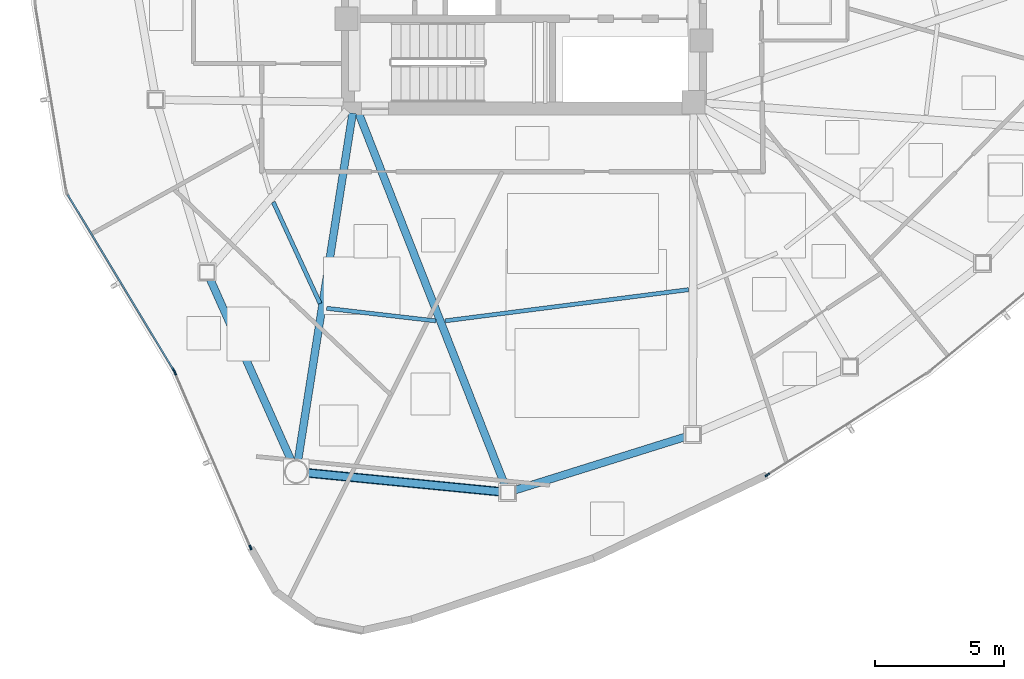
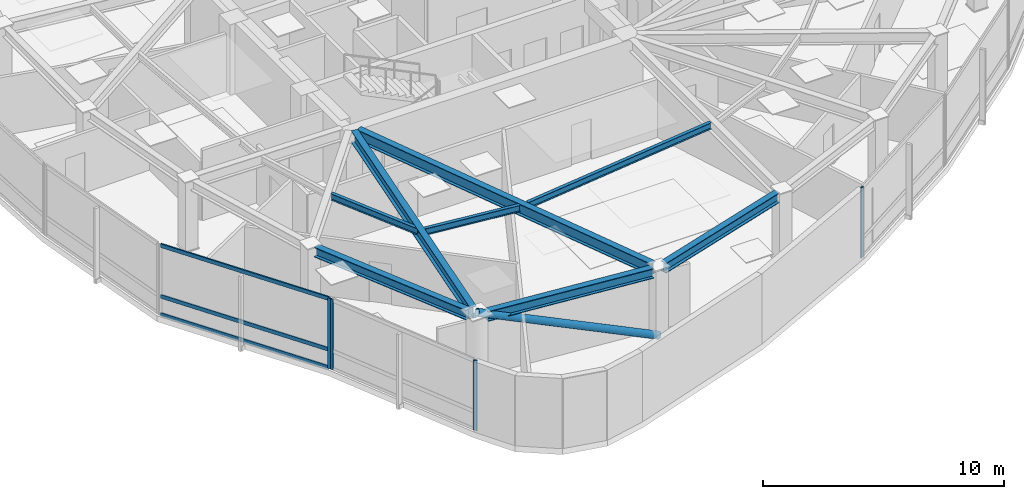
# One storey, part 2 of 17: 8 beams, 8 members, 3 elements without a shape of their own.
"""IFC4 building model written with IfcOpenShell, lengths in metres."""

from ifc_helpers import new_model, si_unit, direction, frame, origin, origin_2d, place, context, subcontext, project, spatial, hollow_rectangle, hollow_circle, i_section, extrude, source, transform, mapped, material, layer, layer_set, material_profile, profile_set, type_object, type_shapes, element, aggregate, save


model = new_model("IFC4")

# Units and contexts
model_context = context("Model", 3, precision=1e-05, world=origin(), true_north=direction((0.0, 1.0)))
body_context = subcontext(model_context, "Body", "Model", "MODEL_VIEW")
ifc_project = project(units=[si_unit("LENGTHUNIT", "METRE"), si_unit("AREAUNIT", "SQUARE_METRE"), si_unit("VOLUMEUNIT", "CUBIC_METRE"), si_unit("PLANEANGLEUNIT", "RADIAN"), si_unit("MASSUNIT", "GRAM", prefix="KILO")], contexts=[model_context])

# Site, building, storey
site_placement = place(None, origin())
site = spatial("IfcSite", under=ifc_project, at=site_placement, CompositionType="ELEMENT")
building_placement = place(site_placement, origin())
building = spatial("IfcBuilding", under=site, at=building_placement, Name="Tavelor Broadcast Tower", CompositionType="ELEMENT")
storey_placement = place(building_placement, frame((0.0, 0.0, 184.89990234375)))
storey = spatial("IfcBuildingStorey", under=building, at=storey_placement, Name="L44", CompositionType="ELEMENT", Elevation=184.89990234375)

# Beams
ifc_material_1 = material(Name="Steel S355", Category="steel")
ifc_material_profile_1 = material_profile(ifc_material_1, i_section(OverallWidth=0.159912109375, OverallDepth=0.330078125, WebThickness=0.007568359375, FlangeThickness=0.011474609375, at=origin_2d()), Name="IPE 330")
ifc_profile_set_1 = profile_set([ifc_material_profile_1], Name="Steel S355")
beam_type_1 = type_object("IfcBeamType", Name="Composite Floor Joist T4 IPE 330", PredefinedType="JOIST", material=ifc_profile_set_1)
beam_1_placement = place(storey_placement, frame((40.2470703125, 34.91259765625, 3.385009765625), z_axis=(0.418865688231, -0.908048200936, 0.0), x_axis=(0.908048200936, 0.418865688231, 0.0)))
element("IfcBeam", 1, at=beam_1_placement, inside=storey, type_object=beam_type_1, Name="L44 Secondary Composite Floor Joist 06", PredefinedType="JOIST", context=body_context, shape_type="SweptSolid", body=[
    extrude(i_section(OverallWidth=0.159912109375, OverallDepth=0.330078125, WebThickness=0.007568359375, FlangeThickness=0.011474609375, at=origin_2d()), origin(), (0.0, 0.0, 1.0), 4.343505859375),
])
beam_2_placement = place(storey_placement, frame((42.322021484375, 30.783447265625, 3.385009765625), z_axis=(0.99339343168, -0.114758397927, 0.0), x_axis=(0.114758397927, 0.99339343168, 0.0)))
element("IfcBeam", 2, at=beam_2_placement, inside=storey, type_object=beam_type_1, Name="L44 Secondary Composite Floor Joist 07", PredefinedType="JOIST", context=body_context, shape_type="SweptSolid", body=[
    extrude(i_section(OverallWidth=0.159912109375, OverallDepth=0.330078125, WebThickness=0.007568359375, FlangeThickness=0.011474609375, at=origin_2d()), origin(), (0.0, 0.0, 1.0), 4.2783203125),
])
beam_3_placement = place(storey_placement, frame((46.931396484375, 30.294921875, 3.385009765625), z_axis=(0.991879761862, 0.127179157129, 0.0), x_axis=(-0.127179157129, 0.991879761862, 0.0)))
element("IfcBeam", 3, at=beam_3_placement, inside=storey, type_object=beam_type_1, Name="L44 Secondary Composite Floor Joist 08", PredefinedType="JOIST", context=body_context, shape_type="SweptSolid", body=[
    extrude(i_section(OverallWidth=0.159912109375, OverallDepth=0.330078125, WebThickness=0.007568359375, FlangeThickness=0.011474609375, at=origin_2d()), origin(), (0.0, 0.0, 1.0), 9.54443359375),
])
ifc_material_profile_2 = material_profile(ifc_material_1, i_section(OverallWidth=0.300048828125, OverallDepth=0.5, WebThickness=0.014404296875, FlangeThickness=0.028076171875, at=origin_2d()), Name="HEB 500")
ifc_profile_set_2 = profile_set([ifc_material_profile_2], Name="Steel S355")
beam_type_2 = type_object("IfcBeamType", Name="Perimeter Spandrel Beam T4 HEB 500", PredefinedType="SPANDREL", material=ifc_profile_set_2)
beam_4_placement = place(storey_placement, frame((37.78564453125, 31.927490234375, 3.300048828125), z_axis=(0.407969002466, -0.912995779304, 0.0), x_axis=(0.912995779304, 0.407969002466, 0.0)))
element("IfcBeam", 4, at=beam_4_placement, inside=storey, type_object=beam_type_2, Name="L44 Framed-Tube Ring Spandrel 06", PredefinedType="SPANDREL", context=body_context, shape_type="SweptSolid", body=[
    extrude(i_section(OverallWidth=0.300048828125, OverallDepth=0.5, WebThickness=0.014404296875, FlangeThickness=0.028076171875, at=origin_2d()), origin(), (0.0, 0.0, 1.0), 7.7802734375),
])
beam_5_placement = place(storey_placement, frame((41.5751953125, 24.381103515625, 3.300048828125), z_axis=(0.995249339376, -0.097358884918, 0.0), x_axis=(0.097358884918, 0.995249339376, 0.0)))
element("IfcBeam", 5, at=beam_5_placement, inside=storey, type_object=beam_type_2, Name="L44 Framed-Tube Ring Spandrel 07", PredefinedType="SPANDREL", context=body_context, shape_type="SweptSolid", body=[
    extrude(i_section(OverallWidth=0.300048828125, OverallDepth=0.5, WebThickness=0.014404296875, FlangeThickness=0.028076171875, at=origin_2d()), origin(), (0.0, 0.0, 1.0), 7.54052734375),
])
beam_6_placement = place(storey_placement, frame((49.641357421875, 23.705078125, 3.300048828125), z_axis=(0.954273247332, 0.298935727918, 0.0), x_axis=(-0.298935727918, 0.954273247332, 0.0)))
element("IfcBeam", 6, at=beam_6_placement, inside=storey, type_object=beam_type_2, Name="L44 Framed-Tube Ring Spandrel 08", PredefinedType="SPANDREL", context=body_context, shape_type="SweptSolid", body=[
    extrude(i_section(OverallWidth=0.300048828125, OverallDepth=0.5, WebThickness=0.014404296875, FlangeThickness=0.028076171875, at=origin_2d()), origin(), (0.0, 0.0, 1.0), 6.963134765625),
])

# Member
ifc_material_profile_3 = material_profile(ifc_material_1, hollow_circle(Radius=0.177734375, WallThickness=0.01611328125, at=origin_2d()), Name="CHS 355.6x16")
ifc_profile_set_3 = profile_set([ifc_material_profile_3], Name="Steel S355")
member_type_1 = type_object("IfcMemberType", Name="Perimeter Tube Brace T4 CHS 355.6x16", PredefinedType="BRACE", material=ifc_profile_set_3)
member_1_placement = place(storey_placement, frame((49.366455078125, 23.618896484375, 0.0), z_axis=(-0.914496364203, 0.089466025126, 0.394578547577), x_axis=(-0.097366094377, -0.995248634094, 0.0)))
element("IfcMember", 7, at=member_1_placement, inside=storey, type_object=member_type_1, Name="L44 Corner Tube Diagonal Brace 2", PredefinedType="BRACE", context=body_context, shape_type="SweptSolid", body=[
    extrude(hollow_circle(Radius=0.177734375, WallThickness=0.01611328125, at=origin_2d()), origin(), (0.0, 0.0, 1.0), 8.9970703125),
])

# Beams
ifc_material_profile_4 = material_profile(ifc_material_1, i_section(OverallWidth=0.300048828125, OverallDepth=0.590087890625, WebThickness=0.012939453125, FlangeThickness=0.02490234375, at=origin_2d()), Name="HEA 600")
ifc_profile_set_4 = profile_set([ifc_material_profile_4], Name="Steel S355")
beam_type_3 = type_object("IfcBeamType", Name="Radial Floor Girder T4 HEA 600", PredefinedType="BEAM", material=ifc_profile_set_4)
beam_7_placement = place(storey_placement, frame((43.3330078125, 38.373291015625, 3.255126953125), z_axis=(-0.15539903111, -0.987851780952, 0.0), x_axis=(0.987851780952, -0.15539903111, 0.0)))
element("IfcBeam", 8, at=beam_7_placement, inside=storey, type_object=beam_type_3, Name="L44 Radial Primary Floor Girder 07", PredefinedType="BEAM", context=body_context, shape_type="SweptSolid", body=[
    extrude(i_section(OverallWidth=0.300048828125, OverallDepth=0.590087890625, WebThickness=0.012939453125, FlangeThickness=0.02490234375, at=origin_2d()), origin(), (0.0, 0.0, 1.0), 13.682373046875),
])
beam_8_placement = place(storey_placement, frame((43.55810546875, 38.39794921875, 3.255126953125), z_axis=(0.365784627572, -0.930699525213, 0.0), x_axis=(0.930699525213, 0.365784627572, 0.0)))
element("IfcBeam", 9, at=beam_8_placement, inside=storey, type_object=beam_type_3, Name="L44 Radial Primary Floor Girder 08", PredefinedType="BEAM", context=body_context, shape_type="SweptSolid", body=[
    extrude(i_section(OverallWidth=0.300048828125, OverallDepth=0.590087890625, WebThickness=0.012939453125, FlangeThickness=0.02490234375, at=origin_2d()), origin(), (0.0, 0.0, 1.0), 15.591552734375),
])

# Curtain wall, member
ifc_material_2 = material(Name="Architectural Anodized Aluminium", Category="aluminium")
ifc_layer = layer(ifc_material_2, 0.18994140625)
ifc_layer_set = layer_set([ifc_layer], Name="Architectural Anodized Aluminium")
curtain_wall_type = type_object("IfcCurtainWallType", Name="Tower Mid-Zone Acoustic Curtain Wall CW03", PredefinedType="NOTDEFINED", material=ifc_layer_set)
curtain_wall_1_placement = place(storey_placement, origin())
curtain_wall_1 = element("IfcCurtainWall", 10, at=curtain_wall_1_placement, inside=storey, type_object=curtain_wall_type, Name="L44 Curtain Wall CW03 Run 471", PredefinedType="NOTDEFINED")
ifc_material_profile_5 = material_profile(ifc_material_2, hollow_rectangle(XDim=0.068115234375, YDim=0.18994140625, WallThickness=0.02197265625, at=origin_2d()), Name="RHS 68x190x22")
ifc_profile_set_5 = profile_set([ifc_material_profile_5], Name="Architectural Anodized Aluminium")
member_type_2 = type_object("IfcMemberType", Name="CW03 Extruded Aluminium Mullion 68x190", PredefinedType="MULLION", material=ifc_profile_set_5)
shared_shape_1 = source(origin(), body_context, "Body", "SweptSolid", [
    extrude(hollow_rectangle(XDim=0.068115234375, YDim=0.18994140625, WallThickness=0.02197265625, at=origin_2d()), origin(), (0.0, 0.0, 1.0), 3.550048828125),
])
type_shapes(member_type_2, [shared_shape_1])
member_2_placement = place(storey_placement, frame((36.37841796875, 28.3662109375, 0.0), z_axis=(0.0, 0.0, 1.0), x_axis=(0.855952826044, 0.517053923287, 0.0)))
member_2 = element("IfcMember", 11, at=member_2_placement, type_object=member_type_2, Name="CW03 mullion 2", PredefinedType="MULLION", context=body_context, shape_type="MappedRepresentation", body=[
    mapped(shared_shape_1, transform((0.0, 0.0, 0.0), scale=1.0)),
])

# Curtain wall, members
curtain_wall_2_placement = place(storey_placement, origin())
curtain_wall_2 = element("IfcCurtainWall", 12, at=curtain_wall_2_placement, inside=storey, type_object=curtain_wall_type, Name="L44 Curtain Wall CW03 Run 472", PredefinedType="NOTDEFINED")
member_3_placement = place(storey_placement, frame((36.423095703125, 28.279296875, 0.0), z_axis=(0.0, 0.0, 1.0), x_axis=(0.917919202016, 0.396767360766, 0.0)))
member_3 = element("IfcMember", 13, at=member_3_placement, type_object=member_type_2, Name="CW03 mullion 1", PredefinedType="MULLION", context=body_context, shape_type="MappedRepresentation", body=[
    mapped(shared_shape_1, transform((0.0, 0.0, 0.0), scale=1.0)),
])
member_4_placement = place(storey_placement, frame((39.36181640625, 21.48095703125, 0.0), z_axis=(0.0, 0.0, 1.0), x_axis=(0.917919202016, 0.396767360766, 0.0)))
member_4 = element("IfcMember", 14, at=member_4_placement, type_object=member_type_2, Name="CW03 mullion 2", PredefinedType="MULLION", context=body_context, shape_type="MappedRepresentation", body=[
    mapped(shared_shape_1, transform((0.0, 0.0, 0.0), scale=1.0)),
])
aggregate(curtain_wall_2, [member_3, member_4])

# Curtain wall, member
curtain_wall_3_placement = place(storey_placement, origin())
curtain_wall_3 = element("IfcCurtainWall", 15, at=curtain_wall_3_placement, inside=storey, type_object=curtain_wall_type, Name="L44 Curtain Wall CW03 Run 473", PredefinedType="NOTDEFINED")
member_5_placement = place(storey_placement, frame((59.46435546875, 24.2998046875, 0.0), z_axis=(0.0, 0.0, 1.0), x_axis=(-0.537657235308, 0.843163505686, 0.0)))
member_5 = element("IfcMember", 16, at=member_5_placement, type_object=member_type_2, Name="CW03 mullion 1", PredefinedType="MULLION", context=body_context, shape_type="MappedRepresentation", body=[
    mapped(shared_shape_1, transform((0.0, 0.0, 0.0), scale=1.0)),
])
aggregate(curtain_wall_3, [member_5])

# Member
ifc_material_profile_6 = material_profile(ifc_material_2, hollow_rectangle(XDim=0.068115234375, YDim=0.18994140625, WallThickness=0.02197265625, at=origin_2d()), Name="RHS 68x190x22")
ifc_profile_set_6 = profile_set([ifc_material_profile_6], Name="Architectural Anodized Aluminium")
member_type_3 = type_object("IfcMemberType", Name="CW03 Extruded Aluminium Transom 68x190", PredefinedType="USERDEFINED", material=ifc_profile_set_6)
shared_shape_2 = source(origin(), body_context, "Body", "SweptSolid", [
    extrude(hollow_rectangle(XDim=0.068115234375, YDim=0.18994140625, WallThickness=0.02197265625, at=origin_2d()), origin(), (0.0, 0.0, 1.0), 7.95068359375),
])
type_shapes(member_type_3, [shared_shape_2])
member_6_placement = place(storey_placement, frame((32.249755859375, 35.200927734375, 0.0341796875), z_axis=(0.517067367842, -0.855944704472, 0.0), x_axis=(0.855944704472, 0.517067367842, 0.0)))
member_6 = element("IfcMember", 17, at=member_6_placement, type_object=member_type_3, Name="CW03 transom 1.1", ObjectType="TRANSOM", PredefinedType="USERDEFINED", context=body_context, shape_type="MappedRepresentation", body=[
    mapped(shared_shape_2, transform((0.0, 0.0, 0.0), scale=1.0)),
])

member_7_placement = place(storey_placement, frame((32.249755859375, 35.200927734375, 0.9501953125), z_axis=(0.517067367842, -0.855944704472, 0.0), x_axis=(0.855944704472, 0.517067367842, 0.0)))
member_7 = element("IfcMember", 18, at=member_7_placement, type_object=member_type_3, Name="CW03 transom 1.2", ObjectType="TRANSOM", PredefinedType="USERDEFINED", context=body_context, shape_type="MappedRepresentation", body=[
    mapped(shared_shape_2, transform((0.0, 0.0, 0.0), scale=1.0)),
])

member_8_placement = place(storey_placement, frame((32.249755859375, 35.200927734375, 3.51611328125), z_axis=(0.517067367842, -0.855944704472, 0.0), x_axis=(0.855944704472, 0.517067367842, 0.0)))
member_8 = element("IfcMember", 19, at=member_8_placement, type_object=member_type_3, Name="CW03 transom 1.3", ObjectType="TRANSOM", PredefinedType="USERDEFINED", context=body_context, shape_type="MappedRepresentation", body=[
    mapped(shared_shape_2, transform((0.0, 0.0, 0.0), scale=1.0)),
])

aggregate(curtain_wall_1, [member_2, member_6, member_7, member_8])

save(model, "model.ifc")
